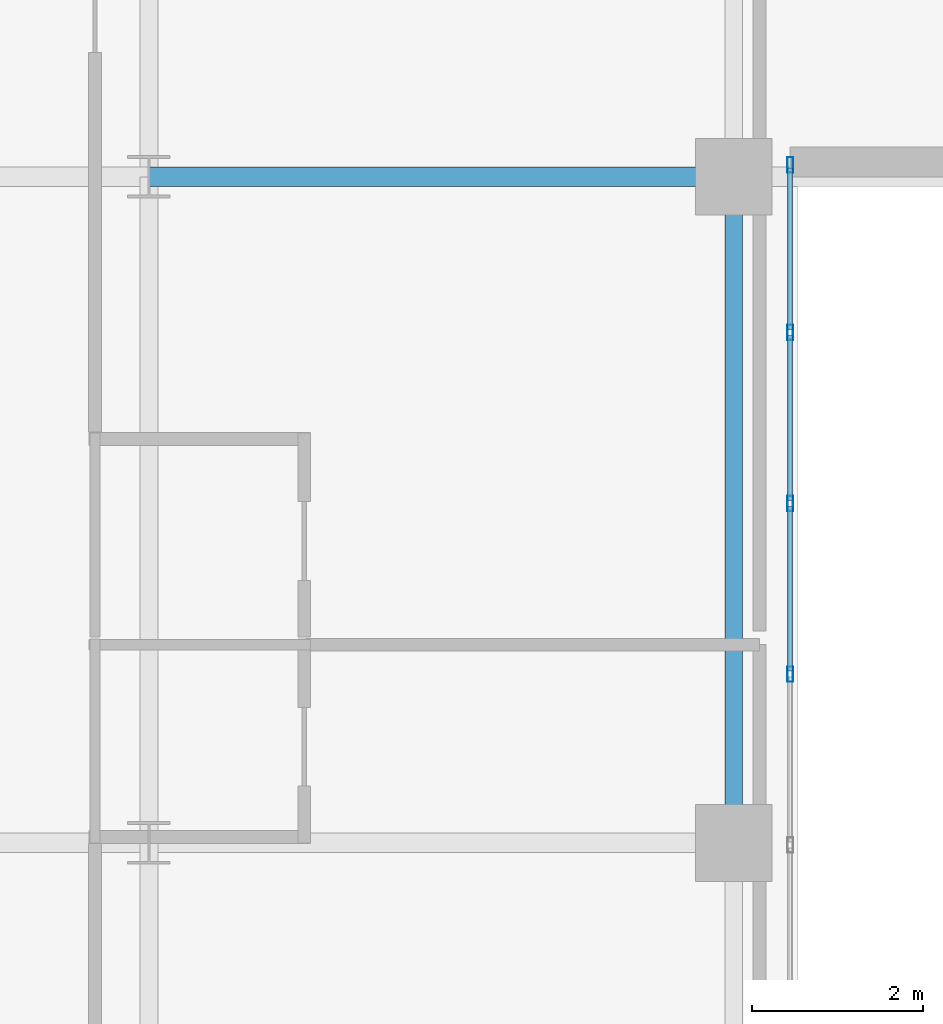
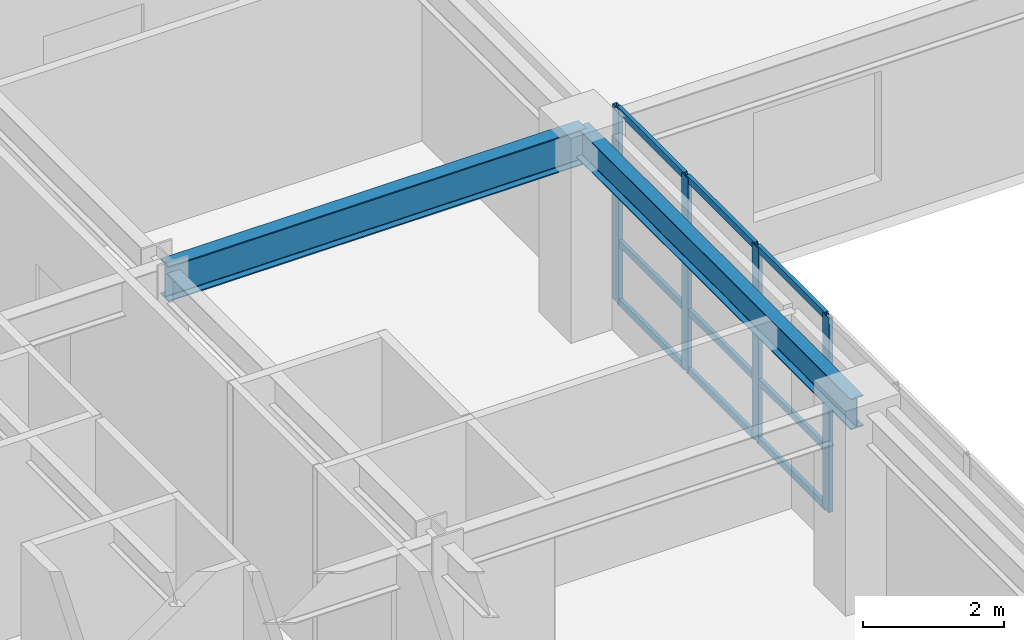
# One storey, part 3 of 17: 13 members, 2 beams, 1 element without a shape of its own.
"""IFC4 building model written with IfcOpenShell, lengths in metres."""

import ifcopenshell
import ifcopenshell.guid

model = None  # the IFC model being written
_history = None  # IfcOwnerHistory: only IFC2X3 demands one
_inside = {}  # id of a spatial element -> (the spatial element, [elements in it])
_under = {}  # id of a project, library or spatial element -> (it, [spatial elements below it])
_declared = {}  # id of a project -> (the project, [libraries it declares])
_typed = {}  # id of a type object -> (the type object, [elements of that type])
_made_of = {}  # id of a material, layer set ... -> (it, [elements and type objects made of it])


def new_model(schema):
    """Start an empty IFC model of exactly this schema.

    Asked for "IFC4X3", IfcOpenShell would pick the latest addendum, in which some entities
    have other attributes; the version numbers below select the first issue.
    IFC2X3 requires an IfcOwnerHistory on every rooted entity: one is made here for all.
    """
    global model, _history
    if schema == "IFC4X3":
        model = ifcopenshell.file(schema_version=(4, 3, 0, 0))
    else:
        model = ifcopenshell.file(schema=schema)
    _inside.clear()
    _under.clear()
    _declared.clear()
    _typed.clear()
    _made_of.clear()
    _history = None
    if model.schema == "IFC2X3":
        org = make("IfcOrganization", Name="unknown")
        user = make(
            "IfcPersonAndOrganization",
            ThePerson=make("IfcPerson", FamilyName="unknown"),
            TheOrganization=org,
        )
        app = make(
            "IfcApplication",
            ApplicationDeveloper=org,
            Version="unknown",
            ApplicationFullName="unknown",
            ApplicationIdentifier="unknown",
        )
        _history = make(
            "IfcOwnerHistory",
            OwningUser=user,
            OwningApplication=app,
            ChangeAction="ADDED",
            CreationDate=0,
        )
    return model


def make(cls, **values):
    """One entity of the class cls with the attributes given. An attribute that is None is left unset."""
    return model.create_entity(
        cls, **{name: value for name, value in values.items() if value is not None}
    )


def rooted(cls, **values):
    """An entity with a GlobalId (a new one), such as an element, a storey or a relation."""
    return make(cls, GlobalId=ifcopenshell.guid.new(), OwnerHistory=_history, **values)


def si_unit(unit_type, name, prefix=None):
    """IfcSIUnit, for example si_unit("LENGTHUNIT", "METRE", prefix="MILLI")."""
    return make("IfcSIUnit", UnitType=unit_type, Prefix=prefix, Name=name)


def assignment(units):
    """IfcUnitAssignment: the units of a project."""
    return None if units is None else make("IfcUnitAssignment", Units=units)


def point(xyz):
    """IfcCartesianPoint."""
    return None if xyz is None else make("IfcCartesianPoint", Coordinates=xyz)


def direction(xyz):
    """IfcDirection."""
    return None if xyz is None else make("IfcDirection", DirectionRatios=xyz)


def frame(location, z_axis=None, x_axis=None):
    """IfcAxis2Placement3D, a coordinate frame: its origin and axes. An axis left out is left unset."""
    return make(
        "IfcAxis2Placement3D",
        Location=point(location),
        Axis=direction(z_axis),
        RefDirection=direction(x_axis),
    )


def frame_2d(location, x_axis=None):
    """IfcAxis2Placement2D, a coordinate frame in the plane: its origin and x axis."""
    return make(
        "IfcAxis2Placement2D", Location=point(location), RefDirection=direction(x_axis)
    )


def origin():
    """The frame at (0, 0, 0) with its axes left unset."""
    return frame((0.0, 0.0, 0.0))


def origin_2d():
    """The frame at (0, 0) in the plane with its x axis left unset."""
    return frame_2d((0.0, 0.0))


def place(relative_to, where):
    """IfcLocalPlacement: puts the frame where relative to a parent placement (None: the world)."""
    return make(
        "IfcLocalPlacement", PlacementRelTo=relative_to, RelativePlacement=where
    )


def context(
    kind, dimensions, precision=None, world=None, true_north=None, identifier=None
):
    """IfcGeometricRepresentationContext, for example the 3D "Model" context."""
    return make(
        "IfcGeometricRepresentationContext",
        ContextIdentifier=identifier,
        ContextType=kind,
        CoordinateSpaceDimension=dimensions,
        Precision=precision,
        WorldCoordinateSystem=world,
        TrueNorth=true_north,
    )


def subcontext(parent, identifier, kind, view, scale=None):
    """IfcGeometricRepresentationSubContext, for example "Body" below "Model"."""
    return make(
        "IfcGeometricRepresentationSubContext",
        ContextIdentifier=identifier,
        ContextType=kind,
        ParentContext=parent,
        TargetScale=scale,
        TargetView=view,
    )


def project(units=None, contexts=None):
    """IfcProject with its units and contexts."""
    return rooted(
        "IfcProject",
        Name="project",
        RepresentationContexts=contexts,
        UnitsInContext=assignment(units),
    )


def spatial(cls, under=None, at=None, **own):
    """A site, building, storey or space (cls), placed at a placement, below another one or the project."""
    s = rooted(cls, ObjectPlacement=at, **own)
    if under is not None:
        _under.setdefault(under.id(), (under, []))[1].append(s)
    return s


def profile(cls, at=None, kind="AREA", **sizes):
    """A parametric profile (cls). Its sizes go by their IFC names, for example OverallWidth=200.0."""
    return make(cls, ProfileType=kind, Position=at, **sizes)


def hollow_rectangle(**sizes):
    """IfcRectangleHollowProfileDef."""
    return profile("IfcRectangleHollowProfileDef", **sizes)


def i_section(**sizes):
    """IfcIShapeProfileDef."""
    return profile("IfcIShapeProfileDef", **sizes)


def extrude(swept, where, along, depth):
    """IfcExtrudedAreaSolid: the profile swept, set in the frame where, extruded along a direction by depth."""
    return make(
        "IfcExtrudedAreaSolid",
        SweptArea=swept,
        Position=where,
        ExtrudedDirection=direction(along),
        Depth=depth,
    )


def shape(context_of_items, identifier, shape_type, items):
    """IfcShapeRepresentation: the items that make up one representation, for example the "Body"."""
    return make(
        "IfcShapeRepresentation",
        ContextOfItems=context_of_items,
        RepresentationIdentifier=identifier,
        RepresentationType=shape_type,
        Items=items,
    )


def source(mapping_origin, context_of_items, identifier, shape_type, items):
    """IfcRepresentationMap: a shape defined once, which mapped items show again and again."""
    return make(
        "IfcRepresentationMap",
        MappingOrigin=mapping_origin,
        MappedRepresentation=shape(context_of_items, identifier, shape_type, items),
    )


def transform(
    local_origin,
    x_axis=None,
    y_axis=None,
    z_axis=None,
    scale=None,
    scale2=None,
    scale3=None,
    uniform=True,
):
    """IfcCartesianTransformationOperator3D, or its non-uniform kind. x_axis, y_axis, z_axis: its Axis1, 2, 3."""
    if uniform:
        return make(
            "IfcCartesianTransformationOperator3D",
            Axis1=direction(x_axis),
            Axis2=direction(y_axis),
            LocalOrigin=point(local_origin),
            Scale=scale,
            Axis3=direction(z_axis),
        )
    return make(
        "IfcCartesianTransformationOperator3DnonUniform",
        Axis1=direction(x_axis),
        Axis2=direction(y_axis),
        LocalOrigin=point(local_origin),
        Scale=scale,
        Axis3=direction(z_axis),
        Scale2=scale2,
        Scale3=scale3,
    )


def mapped(mapping_source, mapping_target):
    """IfcMappedItem: shows the shape of a source again, moved by a transform."""
    return make(
        "IfcMappedItem", MappingSource=mapping_source, MappingTarget=mapping_target
    )


def material(Name=None, Category=None):
    """IfcMaterial."""
    return make("IfcMaterial", Name=Name, Category=Category)


def layer(
    of_material, thickness, ventilated=None, Name=None, Category=None, Priority=None
):
    """IfcMaterialLayer: one layer of a wall or slab, of a material (None: an air gap)."""
    return make(
        "IfcMaterialLayer",
        Material=of_material,
        LayerThickness=thickness,
        IsVentilated=ventilated,
        Name=Name,
        Category=Category,
        Priority=Priority,
    )


def layer_set(layers, Name=None):
    """IfcMaterialLayerSet."""
    return make("IfcMaterialLayerSet", MaterialLayers=layers, LayerSetName=Name)


def material_profile(
    of_material, cross_section, Name=None, Category=None, Priority=None
):
    """IfcMaterialProfile: a cross section and its material."""
    return make(
        "IfcMaterialProfile",
        Name=Name,
        Material=of_material,
        Profile=cross_section,
        Priority=Priority,
        Category=Category,
    )


def profile_set(profiles, Name=None, composite=None):
    """IfcMaterialProfileSet."""
    return make(
        "IfcMaterialProfileSet",
        Name=Name,
        MaterialProfiles=profiles,
        CompositeProfile=composite,
    )


def made_of(thing, what):
    """Note that an element or type object is made of a material, layer set ...; save() writes the relation."""
    if what is not None:
        _made_of.setdefault(what.id(), (what, []))[1].append(thing)
    return thing


def type_object(cls, material=None, **own):
    """A type object (cls), such as IfcWallType, which elements share."""
    return made_of(rooted(cls, **own), material)


def type_shapes(of_type, sources):
    """Give a type object the sources (RepresentationMaps) that its elements show as mapped items."""
    of_type.RepresentationMaps = sources


def element(
    cls,
    number,
    at=None,
    inside=None,
    cuts=None,
    type_object=None,
    material=None,
    context=None,
    identifier="Body",
    shape_type=None,
    held_by="IfcProductDefinitionShape",
    body=None,
    shapes=None,
    **own,
):
    """One element of the class cls, such as IfcWall. Its Tag is "e" and its number.

    at: its placement. inside: the storey or other place that contains it. cuts: it is an
    opening in that element (IfcRelVoidsElement). A single representation is given by context,
    identifier, shape_type and body (its items); several are given by shapes. held_by: the class
    of the entity that holds the representations. save() writes the other relations.
    """
    e = rooted(cls, Tag="e%d" % number, ObjectPlacement=at, **own)
    if body is not None:
        shapes = [shape(context, identifier, shape_type, body)]
    if shapes is not None:
        e.Representation = make(held_by, Representations=shapes)
    if inside is not None:
        _inside.setdefault(inside.id(), (inside, []))[1].append(e)
    if cuts is not None:
        rooted(
            "IfcRelVoidsElement", RelatingBuildingElement=cuts, RelatedOpeningElement=e
        )
    if type_object is not None:
        _typed.setdefault(type_object.id(), (type_object, []))[1].append(e)
    return made_of(e, material)


def aggregate(whole, parts):
    """IfcRelAggregates: a whole, such as a stair, and the parts it consists of."""
    return rooted("IfcRelAggregates", RelatingObject=whole, RelatedObjects=parts)


def save(model, path):
    """Write the relations noted so far, then the file.

    IfcRelAggregates (storeys below a building ...), IfcRelContainedInSpatialStructure (elements
    in a storey), IfcRelDefinesByType, IfcRelAssociatesMaterial and IfcRelDeclares: one each for
    every whole, place, type object, material and project.
    """
    for whole, parts in _under.values():
        aggregate(whole, parts)
    for where, things in _inside.values():
        rooted(
            "IfcRelContainedInSpatialStructure",
            RelatedElements=things,
            RelatingStructure=where,
        )
    for kind, things in _typed.values():
        rooted("IfcRelDefinesByType", RelatedObjects=things, RelatingType=kind)
    for what, things in _made_of.values():
        rooted("IfcRelAssociatesMaterial", RelatedObjects=things, RelatingMaterial=what)
    for by, libraries in _declared.values():
        rooted("IfcRelDeclares", RelatingContext=by, RelatedDefinitions=libraries)
    model.write(path)


model = new_model("IFC4")

# Units and contexts
model_context = context("Model", 3, precision=1e-05, world=origin(), true_north=direction((0.0, 1.0)))
body_context = subcontext(model_context, "Body", "Model", "MODEL_VIEW")
ifc_project = project(units=[si_unit("LENGTHUNIT", "METRE"), si_unit("AREAUNIT", "SQUARE_METRE"), si_unit("VOLUMEUNIT", "CUBIC_METRE"), si_unit("PLANEANGLEUNIT", "RADIAN"), si_unit("MASSUNIT", "GRAM", prefix="KILO")], contexts=[model_context])

# Site, building, storey
site_placement = place(None, origin())
site = spatial("IfcSite", under=ifc_project, at=site_placement, CompositionType="ELEMENT")
building_placement = place(site_placement, origin())
building = spatial("IfcBuilding", under=site, at=building_placement, Name="Tolvann Quenvar Hotel", CompositionType="ELEMENT")
storey_placement = place(building_placement, frame((0.0, 0.0, 108.0)))
storey = spatial("IfcBuildingStorey", under=building, at=storey_placement, Name="L27", CompositionType="ELEMENT", Elevation=108.0)

# Beams
ifc_material_1 = material(Name="Steel Grade 350", Category="steel")
ifc_material_profile_1 = material_profile(ifc_material_1, i_section(OverallWidth=0.22900390625, OverallDepth=0.612060546875, WebThickness=0.011962890625, FlangeThickness=0.01953125, FilletRadius=0.013916015625, at=origin_2d()), Name="610UB125")
ifc_profile_set_1 = profile_set([ifc_material_profile_1], Name="Steel Grade 350")
beam_type_1 = type_object("IfcBeamType", Name="BM_GIRD_610UB125", PredefinedType="BEAM", material=ifc_profile_set_1)
shared_shape_1 = source(origin(), body_context, "Body", "SweptSolid", [
    extrude(i_section(OverallWidth=0.22900390625, OverallDepth=0.612060546875, WebThickness=0.011962890625, FlangeThickness=0.01953125, FilletRadius=0.013916015625, at=origin_2d()), origin(), (0.0, 0.0, 1.0), 6.85009765625),
])
type_shapes(beam_type_1, [shared_shape_1])
beam_1_placement = place(storey_placement, frame((15.199951171875, 16.0, 3.06396484375), z_axis=(1.0, 0.0, 0.0), x_axis=(0.0, 1.0, 0.0)))
element("IfcBeam", 1, at=beam_1_placement, inside=storey, type_object=beam_type_1, Name="BM-L27-EW-4-D4-E4", PredefinedType="BEAM", context=body_context, shape_type="MappedRepresentation", body=[
    mapped(shared_shape_1, transform((0.0, 0.0, 0.0), x_axis=(1.0, 0.0, 0.0), y_axis=(0.0, 1.0, 0.0), z_axis=(0.0, 0.0, 1.0), scale=1.0)),
])
ifc_material_profile_2 = material_profile(ifc_material_1, i_section(OverallWidth=0.208984375, OverallDepth=0.532958984375, WebThickness=0.01025390625, FlangeThickness=0.015625, FilletRadius=0.013916015625, at=origin_2d()), Name="530UB92")
ifc_profile_set_2 = profile_set([ifc_material_profile_2], Name="Steel Grade 350")
beam_type_2 = type_object("IfcBeamType", Name="BM_GIRD_530UB92", PredefinedType="BEAM", material=ifc_profile_set_2)
shared_shape_2 = source(origin(), body_context, "Body", "SweptSolid", [
    extrude(i_section(OverallWidth=0.208984375, OverallDepth=0.532958984375, WebThickness=0.01025390625, FlangeThickness=0.015625, FilletRadius=0.013916015625, at=origin_2d()), origin(), (0.0, 0.0, 1.0), 7.800048828125),
])
type_shapes(beam_type_2, [shared_shape_2])
beam_2_placement = place(storey_placement, frame((22.050048828125, 8.199951171875, 3.103515625), z_axis=(0.0, 1.0, 0.0), x_axis=(-1.0, 0.0, 0.0)))
element("IfcBeam", 2, at=beam_2_placement, inside=storey, type_object=beam_type_2, Name="BM-L27-NS-E3-E4", PredefinedType="BEAM", context=body_context, shape_type="MappedRepresentation", body=[
    mapped(shared_shape_2, transform((0.0, 0.0, 0.0), x_axis=(1.0, 0.0, 0.0), y_axis=(0.0, 1.0, 0.0), z_axis=(0.0, 0.0, 1.0), scale=1.0)),
])

# Curtain wall, members
ifc_material_2 = material(Name="Thermally broken anodised architectural aluminium 6063-T6 and laminated low-E glass", Category="aluminium")
ifc_layer = layer(ifc_material_2, 0.179931640625)
ifc_layer_set = layer_set([ifc_layer], Name="Thermally broken anodised architectural aluminium 6063-T6 and laminated low-E glass")
curtain_wall_type = type_object("IfcCurtainWallType", Name="CW_SYS_SLOT_03", PredefinedType="USERDEFINED", material=ifc_layer_set)
curtain_wall_placement = place(storey_placement, origin())
curtain_wall = element("IfcCurtainWall", 3, at=curtain_wall_placement, inside=storey, type_object=curtain_wall_type, Name="Curtain Wall CW-SLOT-03 (CWR-L27-E05)", ObjectType="UNITISED CURTAIN WALL", PredefinedType="USERDEFINED")
ifc_material_3 = material(Name="Anodised architectural aluminium 6063-T6 framing", Category="aluminium")
ifc_material_profile_3 = material_profile(ifc_material_3, hollow_rectangle(XDim=0.070068359375, YDim=0.179931640625, WallThickness=0.00390625, at=origin_2d()), Name="180x70x4RHS")
ifc_profile_set_3 = profile_set([ifc_material_profile_3], Name="Anodised architectural aluminium 6063-T6 framing")
member_type_1 = type_object("IfcMemberType", Name="CW_MULL_180x70", PredefinedType="MULLION", material=ifc_profile_set_3)
shared_shape_3 = source(origin(), body_context, "Body", "SweptSolid", [
    extrude(hollow_rectangle(XDim=0.070068359375, YDim=0.179931640625, WallThickness=0.00390625, at=origin_2d()), origin(), (0.0, 0.0, 1.0), 3.3701171875),
])
type_shapes(member_type_1, [shared_shape_3])
member_1_placement = place(storey_placement, frame((22.7099609375, 10.175048828125, 0.0), z_axis=(0.0, 0.0, 1.0), x_axis=(-1.0, 0.0, 0.0)))
member_1 = element("IfcMember", 4, at=member_1_placement, type_object=member_type_1, Name="CW-SLOT-03 mullion 6", PredefinedType="MULLION", context=body_context, shape_type="MappedRepresentation", body=[
    mapped(shared_shape_3, transform((0.0, 0.0, 0.0), x_axis=(1.0, 0.0, 0.0), y_axis=(0.0, 1.0, 0.0), z_axis=(0.0, 0.0, 1.0), scale=1.0)),
])
member_2_placement = place(storey_placement, frame((22.7099609375, 12.175048828125, 0.0), z_axis=(0.0, 0.0, 1.0), x_axis=(-1.0, 0.0, 0.0)))
member_2 = element("IfcMember", 5, at=member_2_placement, type_object=member_type_1, Name="CW-SLOT-03 mullion 7", PredefinedType="MULLION", context=body_context, shape_type="MappedRepresentation", body=[
    mapped(shared_shape_3, transform((0.0, 0.0, 0.0), x_axis=(1.0, 0.0, 0.0), y_axis=(0.0, 1.0, 0.0), z_axis=(0.0, 0.0, 1.0), scale=1.0)),
])
member_3_placement = place(storey_placement, frame((22.7099609375, 14.175048828125, 0.0), z_axis=(0.0, 0.0, 1.0), x_axis=(-1.0, 0.0, 0.0)))
member_3 = element("IfcMember", 6, at=member_3_placement, type_object=member_type_1, Name="CW-SLOT-03 mullion 8", PredefinedType="MULLION", context=body_context, shape_type="MappedRepresentation", body=[
    mapped(shared_shape_3, transform((0.0, 0.0, 0.0), x_axis=(1.0, 0.0, 0.0), y_axis=(0.0, 1.0, 0.0), z_axis=(0.0, 0.0, 1.0), scale=1.0)),
])
member_4_placement = place(storey_placement, frame((22.7099609375, 16.139892578125, 0.0), z_axis=(0.0, 0.0, 1.0), x_axis=(-1.0, 0.0, 0.0)))
member_4 = element("IfcMember", 7, at=member_4_placement, type_object=member_type_1, Name="CW-SLOT-03 mullion 9", PredefinedType="MULLION", context=body_context, shape_type="MappedRepresentation", body=[
    mapped(shared_shape_3, transform((0.0, 0.0, 0.0), x_axis=(1.0, 0.0, 0.0), y_axis=(0.0, 1.0, 0.0), z_axis=(0.0, 0.0, 1.0), scale=1.0)),
])
ifc_material_profile_4 = material_profile(ifc_material_3, hollow_rectangle(XDim=0.06005859375, YDim=0.1201171875, WallThickness=0.00341796875, at=origin_2d()), Name="120x60x3.5RHS")
ifc_profile_set_4 = profile_set([ifc_material_profile_4], Name="Anodised architectural aluminium 6063-T6 framing")
member_type_2 = type_object("IfcMemberType", Name="CW_TRAN_120x60", PredefinedType="USERDEFINED", material=ifc_profile_set_4)
shared_shape_4 = source(origin(), body_context, "Body", "SweptSolid", [
    extrude(hollow_rectangle(XDim=0.06005859375, YDim=0.1201171875, WallThickness=0.00341796875, at=origin_2d()), origin(), (0.0, 0.0, 1.0), 1.929931640625),
])
member_5_placement = place(storey_placement, frame((22.7099609375, 10.2099609375, 0.030029296875), z_axis=(0.0, 1.0, 0.0), x_axis=(-1.0, 0.0, 0.0)))
member_5 = element("IfcMember", 8, at=member_5_placement, type_object=member_type_2, Name="CW-SLOT-03 transom 6.1", ObjectType="TRANSOM", PredefinedType="USERDEFINED", context=body_context, shape_type="MappedRepresentation", body=[
    mapped(shared_shape_4, transform((0.0, 0.0, 0.0), x_axis=(1.0, 0.0, 0.0), y_axis=(0.0, 1.0, 0.0), z_axis=(0.0, 0.0, 1.0), scale=1.0)),
])
member_6_placement = place(storey_placement, frame((22.7099609375, 10.2099609375, 1.050048828125), z_axis=(0.0, 1.0, 0.0), x_axis=(-1.0, 0.0, 0.0)))
member_6 = element("IfcMember", 9, at=member_6_placement, type_object=member_type_2, Name="CW-SLOT-03 transom 6.2", ObjectType="TRANSOM", PredefinedType="USERDEFINED", context=body_context, shape_type="MappedRepresentation", body=[
    mapped(shared_shape_4, transform((0.0, 0.0, 0.0), x_axis=(1.0, 0.0, 0.0), y_axis=(0.0, 1.0, 0.0), z_axis=(0.0, 0.0, 1.0), scale=1.0)),
])
member_7_placement = place(storey_placement, frame((22.7099609375, 10.2099609375, 3.340087890625), z_axis=(0.0, 1.0, 0.0), x_axis=(-1.0, 0.0, 0.0)))
member_7 = element("IfcMember", 10, at=member_7_placement, type_object=member_type_2, Name="CW-SLOT-03 transom 6.3", ObjectType="TRANSOM", PredefinedType="USERDEFINED", context=body_context, shape_type="MappedRepresentation", body=[
    mapped(shared_shape_4, transform((0.0, 0.0, 0.0), x_axis=(1.0, 0.0, 0.0), y_axis=(0.0, 1.0, 0.0), z_axis=(0.0, 0.0, 1.0), scale=1.0)),
])
member_8_placement = place(storey_placement, frame((22.7099609375, 12.2099609375, 0.030029296875), z_axis=(0.0, 1.0, 0.0), x_axis=(-1.0, 0.0, 0.0)))
member_8 = element("IfcMember", 11, at=member_8_placement, type_object=member_type_2, Name="CW-SLOT-03 transom 7.1", ObjectType="TRANSOM", PredefinedType="USERDEFINED", context=body_context, shape_type="MappedRepresentation", body=[
    mapped(shared_shape_4, transform((0.0, 0.0, 0.0), x_axis=(1.0, 0.0, 0.0), y_axis=(0.0, 1.0, 0.0), z_axis=(0.0, 0.0, 1.0), scale=1.0)),
])
member_9_placement = place(storey_placement, frame((22.7099609375, 12.2099609375, 1.050048828125), z_axis=(0.0, 1.0, 0.0), x_axis=(-1.0, 0.0, 0.0)))
member_9 = element("IfcMember", 12, at=member_9_placement, type_object=member_type_2, Name="CW-SLOT-03 transom 7.2", ObjectType="TRANSOM", PredefinedType="USERDEFINED", context=body_context, shape_type="MappedRepresentation", body=[
    mapped(shared_shape_4, transform((0.0, 0.0, 0.0), x_axis=(1.0, 0.0, 0.0), y_axis=(0.0, 1.0, 0.0), z_axis=(0.0, 0.0, 1.0), scale=1.0)),
])
member_10_placement = place(storey_placement, frame((22.7099609375, 12.2099609375, 3.340087890625), z_axis=(0.0, 1.0, 0.0), x_axis=(-1.0, 0.0, 0.0)))
member_10 = element("IfcMember", 13, at=member_10_placement, type_object=member_type_2, Name="CW-SLOT-03 transom 7.3", ObjectType="TRANSOM", PredefinedType="USERDEFINED", context=body_context, shape_type="MappedRepresentation", body=[
    mapped(shared_shape_4, transform((0.0, 0.0, 0.0), x_axis=(1.0, 0.0, 0.0), y_axis=(0.0, 1.0, 0.0), z_axis=(0.0, 0.0, 1.0), scale=1.0)),
])
shared_shape_5 = source(origin(), body_context, "Body", "SweptSolid", [
    extrude(hollow_rectangle(XDim=0.06005859375, YDim=0.1201171875, WallThickness=0.00341796875, at=origin_2d()), origin(), (0.0, 0.0, 1.0), 1.89501953125),
])
type_shapes(member_type_2, [shared_shape_4, shared_shape_5])
member_11_placement = place(storey_placement, frame((22.7099609375, 14.2099609375, 0.030029296875), z_axis=(0.0, 1.0, 0.0), x_axis=(-1.0, 0.0, 0.0)))
member_11 = element("IfcMember", 14, at=member_11_placement, type_object=member_type_2, Name="CW-SLOT-03 transom 8.1", ObjectType="TRANSOM", PredefinedType="USERDEFINED", context=body_context, shape_type="MappedRepresentation", body=[
    mapped(shared_shape_5, transform((0.0, 0.0, 0.0), x_axis=(1.0, 0.0, 0.0), y_axis=(0.0, 1.0, 0.0), z_axis=(0.0, 0.0, 1.0), scale=1.0)),
])
member_12_placement = place(storey_placement, frame((22.7099609375, 14.2099609375, 1.050048828125), z_axis=(0.0, 1.0, 0.0), x_axis=(-1.0, 0.0, 0.0)))
member_12 = element("IfcMember", 15, at=member_12_placement, type_object=member_type_2, Name="CW-SLOT-03 transom 8.2", ObjectType="TRANSOM", PredefinedType="USERDEFINED", context=body_context, shape_type="MappedRepresentation", body=[
    mapped(shared_shape_5, transform((0.0, 0.0, 0.0), x_axis=(1.0, 0.0, 0.0), y_axis=(0.0, 1.0, 0.0), z_axis=(0.0, 0.0, 1.0), scale=1.0)),
])
member_13_placement = place(storey_placement, frame((22.7099609375, 14.2099609375, 3.340087890625), z_axis=(0.0, 1.0, 0.0), x_axis=(-1.0, 0.0, 0.0)))
member_13 = element("IfcMember", 16, at=member_13_placement, type_object=member_type_2, Name="CW-SLOT-03 transom 8.3", ObjectType="TRANSOM", PredefinedType="USERDEFINED", context=body_context, shape_type="MappedRepresentation", body=[
    mapped(shared_shape_5, transform((0.0, 0.0, 0.0), x_axis=(1.0, 0.0, 0.0), y_axis=(0.0, 1.0, 0.0), z_axis=(0.0, 0.0, 1.0), scale=1.0)),
])
aggregate(curtain_wall, [member_1, member_2, member_3, member_4, member_5, member_6, member_7, member_8, member_9, member_10, member_11, member_12, member_13])

save(model, "model.ifc")
